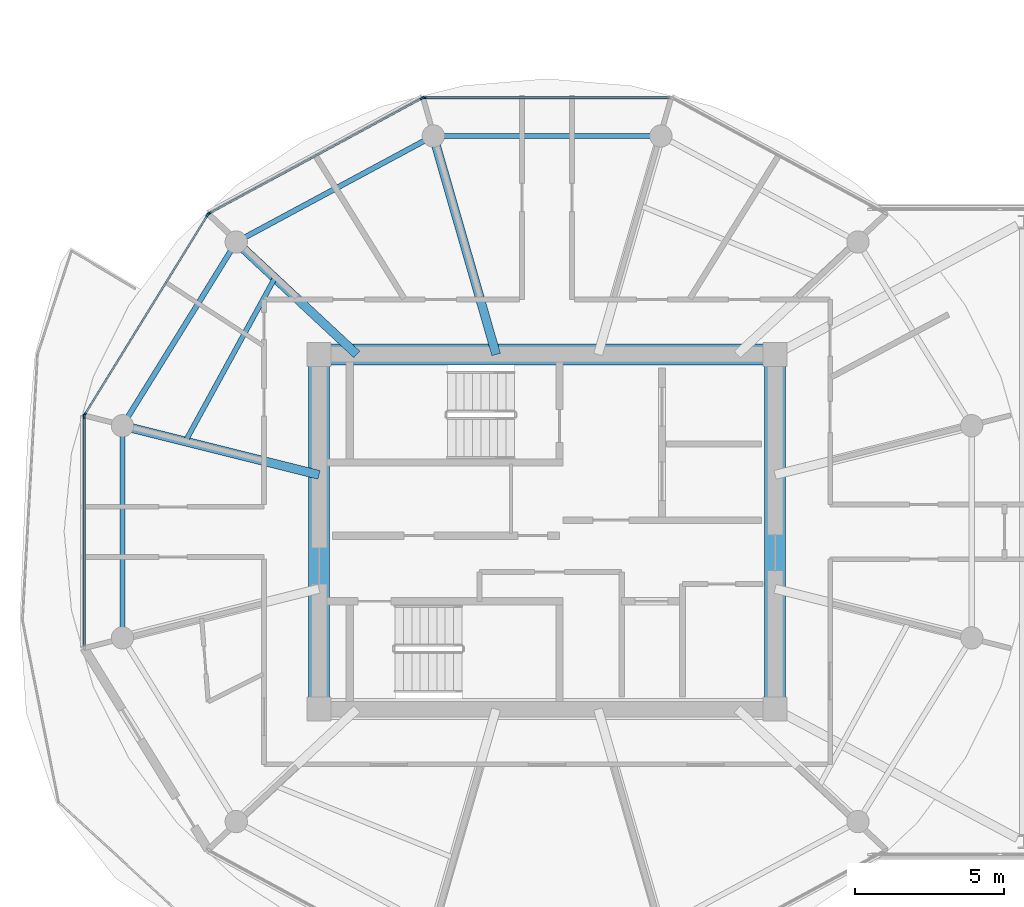
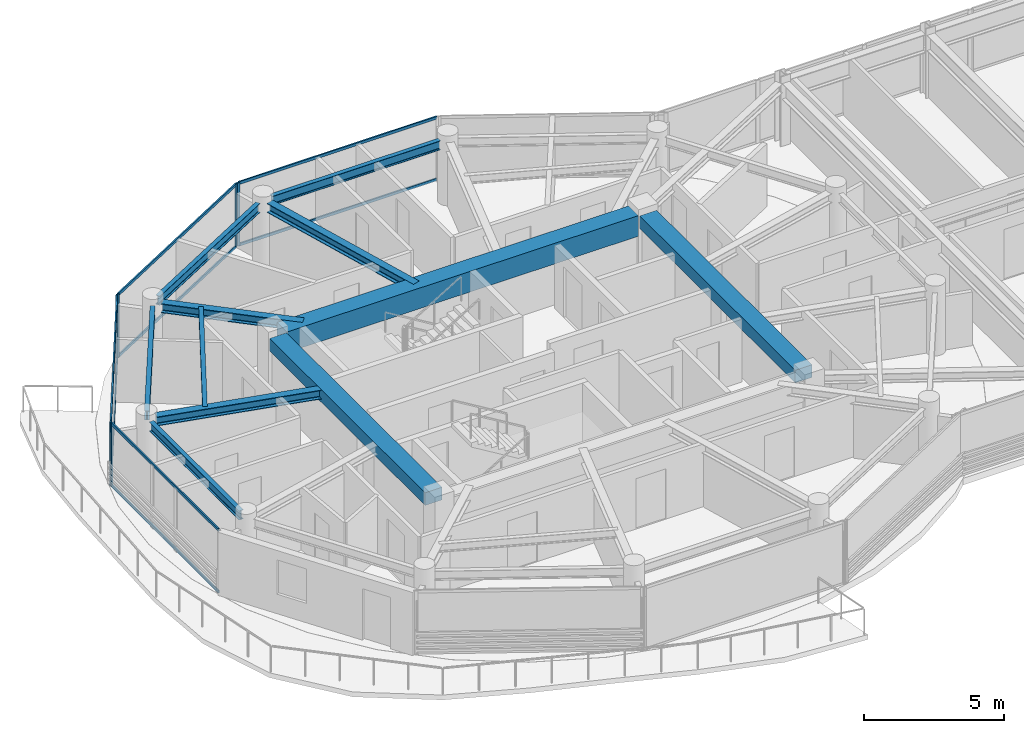
# One storey, part 4 of 23: 14 members, 11 beams, 4 elements without a shape of their own.
"""IFC4 building model written with IfcOpenShell, lengths in metres."""

from ifc_helpers import new_model, si_unit, direction, frame, origin, origin_2d, place, context, subcontext, project, spatial, rectangle, i_section, extrude, source, transform, mapped, material, layer, layer_set, material_profile, profile_set, type_object, type_shapes, element, aggregate, save


model = new_model("IFC4")

# Units and contexts
model_context = context("Model", 3, precision=1e-05, world=origin(), true_north=direction((0.0, 1.0)))
body_context = subcontext(model_context, "Body", "Model", "MODEL_VIEW")
ifc_project = project(units=[si_unit("LENGTHUNIT", "METRE"), si_unit("AREAUNIT", "SQUARE_METRE"), si_unit("VOLUMEUNIT", "CUBIC_METRE"), si_unit("PLANEANGLEUNIT", "RADIAN"), si_unit("MASSUNIT", "GRAM", prefix="KILO")], contexts=[model_context])

# Site, building, storey
site_placement = place(None, origin())
site = spatial("IfcSite", under=ifc_project, at=site_placement, CompositionType="ELEMENT")
building_placement = place(site_placement, origin())
building = spatial("IfcBuilding", under=site, at=building_placement, Name="Norrkilde Senior Care Towers", CompositionType="ELEMENT")
storey_placement = place(building_placement, frame((0.0, 0.0, 216.949951171875)))
storey = spatial("IfcBuildingStorey", under=building, at=storey_placement, Name="L67", CompositionType="ELEMENT", Elevation=216.949951171875)

# Beams
ifc_material_1 = material(Name="Concrete C60/75", Category="concrete")
ifc_material_profile_1 = material_profile(ifc_material_1, rectangle(XDim=0.699951171875, YDim=0.89990234375, at=origin_2d()), Name="RC BM 700x900")
ifc_profile_set_1 = profile_set([ifc_material_profile_1], Name="Concrete C60/75")
beam_type_1 = type_object("IfcBeamType", Name="Core Coupling Girder 700x900", PredefinedType="USERDEFINED", material=ifc_profile_set_1)
shared_shape_1 = source(origin(), body_context, "Body", "SweptSolid", [
    extrude(rectangle(XDim=0.699951171875, YDim=0.89990234375, at=origin_2d()), origin(), (0.0, 0.0, 1.0), 14.5400390625),
])
type_shapes(beam_type_1, [shared_shape_1])
beam_1_placement = place(storey_placement, frame((-35.27001953125, 5.949951171875, 2.31005859375), z_axis=(1.0, 0.0, 0.0), x_axis=(0.0, 1.0, 0.0)))
element("IfcBeam", 1, at=beam_1_placement, inside=storey, type_object=beam_type_1, Name="L67 Core W N Coupling Girder", ObjectType="GIRDER", PredefinedType="USERDEFINED", context=body_context, shape_type="MappedRepresentation", body=[
    mapped(shared_shape_1, transform((0.0, 0.0, 0.0), x_axis=(1.0, 0.0, 0.0), y_axis=(0.0, 1.0, 0.0), z_axis=(0.0, 0.0, 1.0), scale=1.0)),
])
ifc_material_profile_2 = material_profile(ifc_material_1, rectangle(XDim=0.699951171875, YDim=0.550048828125, at=origin_2d()), Name="RC BM 700x550")
ifc_profile_set_2 = profile_set([ifc_material_profile_2], Name="Concrete C60/75")
beam_type_2 = type_object("IfcBeamType", Name="Core Portal Coupling Beam 700x550", PredefinedType="USERDEFINED", material=ifc_profile_set_2)
shared_shape_2 = source(origin(), body_context, "Body", "SweptSolid", [
    extrude(rectangle(XDim=0.699951171875, YDim=0.550048828125, at=origin_2d()), origin(), (0.0, 0.0, 1.0), 11.14013671875),
])
type_shapes(beam_type_2, [shared_shape_2])
for number, where, z_axis, x_axis, name in (
    (2, (-35.64990234375, -5.570068359375, 2.485107421875), (0.0, 1.0, 0.0), (-1.0, 0.0, 0.0), "L67 Core W W Coupling Girder"),
    (3, (-20.35009765625, -5.570068359375, 2.485107421875), (0.0, 1.0, 0.0), (-1.0, 0.0, 0.0), "L67 Core W E Coupling Girder"),
):
    element("IfcBeam", number, at=place(storey_placement, frame(where, z_axis=z_axis, x_axis=x_axis)), inside=storey, type_object=beam_type_2, Name=name, ObjectType="GIRDER", PredefinedType="USERDEFINED", context=body_context, shape_type="MappedRepresentation", body=[
        mapped(shared_shape_2, transform((0.0, 0.0, 0.0), x_axis=(1.0, 0.0, 0.0), y_axis=(0.0, 1.0, 0.0), z_axis=(0.0, 0.0, 1.0), scale=1.0)),
    ])
ifc_material_2 = material(Name="Steel S355", Category="steel")
ifc_material_profile_3 = material_profile(ifc_material_2, i_section(OverallWidth=0.179931640625, OverallDepth=0.39990234375, WebThickness=0.008544921875, FlangeThickness=0.013427734375, FilletRadius=0.02099609375, at=origin_2d()), Name="IPE 400")
ifc_profile_set_3 = profile_set([ifc_material_profile_3], Name="Steel S355")
beam_type_3 = type_object("IfcBeamType", Name="Perimeter Ring Spandrel Z4 IPE400", PredefinedType="SPANDREL", material=ifc_profile_set_3)
shared_shape_3 = source(origin(), body_context, "Body", "SweptSolid", [
    extrude(i_section(OverallWidth=0.179931640625, OverallDepth=0.39990234375, WebThickness=0.008544921875, FlangeThickness=0.013427734375, FilletRadius=0.02099609375, at=origin_2d()), origin(), (0.0, 0.0, 1.0), 6.58056640625),
])
beam_2_placement = place(storey_placement, frame((-38.606201171875, 9.43798828125, 2.56005859375), z_axis=(-0.526529583789, -0.850156807533, 0.0), x_axis=(0.850156807533, -0.526529583789, 0.0)))
element("IfcBeam", 4, at=beam_2_placement, inside=storey, type_object=beam_type_3, Name="L67 Drum W Perimeter Spandrel 05", PredefinedType="SPANDREL", context=body_context, shape_type="MappedRepresentation", body=[
    mapped(shared_shape_3, transform((0.0, 0.0, 0.0), x_axis=(1.0, 0.0, 0.0), y_axis=(0.0, 1.0, 0.0), z_axis=(0.0, 0.0, 1.0), scale=1.0)),
])
ifc_material_profile_4 = material_profile(ifc_material_2, i_section(OverallWidth=0.300048828125, OverallDepth=0.39990234375, WebThickness=0.013427734375, FlangeThickness=0.02392578125, FilletRadius=0.027099609375, at=origin_2d()), Name="HEB 400")
ifc_profile_set_4 = profile_set([ifc_material_profile_4], Name="Steel S355")
beam_type_4 = type_object("IfcBeamType", Name="Radial Floor Beam Z4 HEB400", PredefinedType="BEAM", material=ifc_profile_set_4)
shared_shape_4 = source(origin(), body_context, "Body", "SweptSolid", [
    extrude(i_section(OverallWidth=0.300048828125, OverallDepth=0.39990234375, WebThickness=0.013427734375, FlangeThickness=0.02392578125, FilletRadius=0.027099609375, at=origin_2d()), origin(), (0.0, 0.0, 1.0), 6.465087890625),
])
beam_3_placement = place(storey_placement, frame((-35.64990234375, 1.910888671875, 2.56005859375), z_axis=(-0.970195788563, 0.242322371758, 0.0), x_axis=(-0.242322371758, -0.970195788563, 0.0)))
element("IfcBeam", 5, at=beam_3_placement, inside=storey, type_object=beam_type_4, Name="L67 Drum W Radial Floor Beam 06", PredefinedType="BEAM", context=body_context, shape_type="MappedRepresentation", body=[
    mapped(shared_shape_4, transform((0.0, 0.0, 0.0), x_axis=(1.0, 0.0, 0.0), y_axis=(0.0, 1.0, 0.0), z_axis=(0.0, 0.0, 1.0), scale=1.0)),
])
shared_shape_5 = source(origin(), body_context, "Body", "SweptSolid", [
    extrude(i_section(OverallWidth=0.179931640625, OverallDepth=0.39990234375, WebThickness=0.008544921875, FlangeThickness=0.013427734375, FilletRadius=0.02099609375, at=origin_2d()), origin(), (0.0, 0.0, 1.0), 6.839111328125),
])
beam_4_placement = place(storey_placement, frame((-32.112548828125, 13.122802734375, 2.56005859375), z_axis=(-0.880563930732, -0.473927382511, 0.0), x_axis=(0.473927382511, -0.880563930732, 0.0)))
element("IfcBeam", 6, at=beam_4_placement, inside=storey, type_object=beam_type_3, Name="L67 Drum W Perimeter Spandrel 04", PredefinedType="SPANDREL", context=body_context, shape_type="MappedRepresentation", body=[
    mapped(shared_shape_5, transform((0.0, 0.0, 0.0), x_axis=(1.0, 0.0, 0.0), y_axis=(0.0, 1.0, 0.0), z_axis=(0.0, 0.0, 1.0), scale=1.0)),
])
shared_shape_6 = source(origin(), body_context, "Body", "SweptSolid", [
    extrude(i_section(OverallWidth=0.300048828125, OverallDepth=0.39990234375, WebThickness=0.013427734375, FlangeThickness=0.02392578125, FilletRadius=0.027099609375, at=origin_2d()), origin(), (0.0, 0.0, 1.0), 5.197998046875),
])
beam_5_placement = place(storey_placement, frame((-34.3828125, 5.949951171875, 2.56005859375), z_axis=(-0.731448749334, 0.681896419625, 0.0), x_axis=(-0.681896419625, -0.731448749334, 0.0)))
element("IfcBeam", 7, at=beam_5_placement, inside=storey, type_object=beam_type_4, Name="L67 Drum W Radial Floor Beam 05", PredefinedType="BEAM", context=body_context, shape_type="MappedRepresentation", body=[
    mapped(shared_shape_6, transform((0.0, 0.0, 0.0), x_axis=(1.0, 0.0, 0.0), y_axis=(0.0, 1.0, 0.0), z_axis=(0.0, 0.0, 1.0), scale=1.0)),
])
shared_shape_7 = source(origin(), body_context, "Body", "SweptSolid", [
    extrude(i_section(OverallWidth=0.179931640625, OverallDepth=0.39990234375, WebThickness=0.008544921875, FlangeThickness=0.013427734375, FilletRadius=0.02099609375, at=origin_2d()), origin(), (0.0, 0.0, 1.0), 6.96533203125),
])
beam_6_placement = place(storey_placement, frame((-24.517333984375, 13.281494140625, 2.56005859375), z_axis=(-1.0, 0.0, 0.0), x_axis=(0.0, -1.0, 0.0)))
element("IfcBeam", 8, at=beam_6_placement, inside=storey, type_object=beam_type_3, Name="L67 Drum W Perimeter Spandrel 03", PredefinedType="SPANDREL", context=body_context, shape_type="MappedRepresentation", body=[
    mapped(shared_shape_7, transform((0.0, 0.0, 0.0), x_axis=(1.0, 0.0, 0.0), y_axis=(0.0, 1.0, 0.0), z_axis=(0.0, 0.0, 1.0), scale=1.0)),
])
shared_shape_8 = source(origin(), body_context, "Body", "SweptSolid", [
    extrude(i_section(OverallWidth=0.300048828125, OverallDepth=0.39990234375, WebThickness=0.013427734375, FlangeThickness=0.02392578125, FilletRadius=0.027099609375, at=origin_2d()), origin(), (0.0, 0.0, 1.0), 7.29345703125),
])
type_shapes(beam_type_4, [shared_shape_4, shared_shape_6, shared_shape_8])
beam_7_placement = place(storey_placement, frame((-29.710205078125, 5.949951171875, 2.56005859375), z_axis=(-0.276263751906, 0.961081858836, 0.0), x_axis=(-0.961081858836, -0.276263751906, 0.0)))
element("IfcBeam", 9, at=beam_7_placement, inside=storey, type_object=beam_type_4, Name="L67 Drum W Radial Floor Beam 04", PredefinedType="BEAM", context=body_context, shape_type="MappedRepresentation", body=[
    mapped(shared_shape_8, transform((0.0, 0.0, 0.0), x_axis=(1.0, 0.0, 0.0), y_axis=(0.0, 1.0, 0.0), z_axis=(0.0, 0.0, 1.0), scale=1.0)),
])
shared_shape_9 = source(origin(), body_context, "Body", "SweptSolid", [
    extrude(i_section(OverallWidth=0.179931640625, OverallDepth=0.39990234375, WebThickness=0.008544921875, FlangeThickness=0.013427734375, FilletRadius=0.02099609375, at=origin_2d()), origin(), (0.0, 0.0, 1.0), 6.44775390625),
])
type_shapes(beam_type_3, [shared_shape_3, shared_shape_5, shared_shape_7, shared_shape_9])
beam_8_placement = place(storey_placement, frame((-42.247314453125, 3.223876953125, 2.56005859375), z_axis=(0.0, -1.0, 0.0), x_axis=(1.0, 0.0, 0.0)))
element("IfcBeam", 10, at=beam_8_placement, inside=storey, type_object=beam_type_3, Name="L67 Drum W Perimeter Spandrel 06", PredefinedType="SPANDREL", context=body_context, shape_type="MappedRepresentation", body=[
    mapped(shared_shape_9, transform((0.0, 0.0, 0.0), x_axis=(1.0, 0.0, 0.0), y_axis=(0.0, 1.0, 0.0), z_axis=(0.0, 0.0, 1.0), scale=1.0)),
])
ifc_material_profile_5 = material_profile(ifc_material_2, i_section(OverallWidth=0.169921875, OverallDepth=0.360107421875, WebThickness=0.008056640625, FlangeThickness=0.0126953125, FilletRadius=0.01806640625, at=origin_2d()), Name="IPE 360")
ifc_profile_set_5 = profile_set([ifc_material_profile_5], Name="Steel S355")
beam_type_5 = type_object("IfcBeamType", Name="Secondary Floor Joist IPE360", PredefinedType="JOIST", material=ifc_profile_set_5)
shared_shape_10 = source(origin(), body_context, "Body", "SweptSolid", [
    extrude(i_section(OverallWidth=0.169921875, OverallDepth=0.360107421875, WebThickness=0.008056640625, FlangeThickness=0.0126953125, FilletRadius=0.01806640625, at=origin_2d()), origin(), (0.0, 0.0, 1.0), 6.25146484375),
])
type_shapes(beam_type_5, [shared_shape_10])
beam_9_placement = place(storey_placement, frame((-37.134765625, 8.515380859375, 2.580078125), z_axis=(-0.480115752653, -0.877205143655, 0.0), x_axis=(0.877205143655, -0.480115752653, 0.0)))
element("IfcBeam", 11, at=beam_9_placement, inside=storey, type_object=beam_type_5, Name="L67 Drum W Secondary Floor Joist 2", PredefinedType="JOIST", context=body_context, shape_type="MappedRepresentation", body=[
    mapped(shared_shape_10, transform((0.0, 0.0, 0.0), x_axis=(1.0, 0.0, 0.0), y_axis=(0.0, 1.0, 0.0), z_axis=(0.0, 0.0, 1.0), scale=1.0)),
])

# Curtain wall, members
ifc_material_3 = material(Name="Triple Low-E Insulated Glazing", Category="glass")
ifc_layer = layer(ifc_material_3, 0.18505859375)
ifc_layer_set = layer_set([ifc_layer], Name="Triple Low-E Insulated Glazing")
curtain_wall_type = type_object("IfcCurtainWallType", Name="CW6 Zone 4 Crown Pavilion Curtain Wall", PredefinedType="NOTDEFINED", material=ifc_layer_set)
curtain_wall_1_placement = place(storey_placement, origin())
curtain_wall_1 = element("IfcCurtainWall", 12, at=curtain_wall_1_placement, inside=storey, type_object=curtain_wall_type, Name="L67 Drum W Curtain Wall 04", PredefinedType="NOTDEFINED")
ifc_material_4 = material(Name="Anodised Aluminium", Category="aluminium")
ifc_material_profile_6 = material_profile(ifc_material_4, rectangle(XDim=0.06005859375, YDim=0.1201171875, at=origin_2d()), Name="ALU TRAN 60x120")
ifc_profile_set_6 = profile_set([ifc_material_profile_6], Name="Anodised Aluminium")
member_type_1 = type_object("IfcMemberType", Name="Curtain Wall Transom Typical 60x120", PredefinedType="USERDEFINED", material=ifc_profile_set_6)
shared_shape_11 = source(origin(), body_context, "Body", "SweptSolid", [
    extrude(rectangle(XDim=0.06005859375, YDim=0.1201171875, at=origin_2d()), origin(), (0.0, 0.0, 1.0), 7.808837890625),
])
member_1_placement = place(storey_placement, frame((-43.498046875, 3.958251953125, 0.030029296875), z_axis=(0.524250924101, 0.851563837055, 0.0), x_axis=(-0.851563837055, 0.524250924101, 0.0)))
member_1 = element("IfcMember", 13, at=member_1_placement, type_object=member_type_1, Name="CW-6 transom 1.1", ObjectType="TRANSOM", PredefinedType="USERDEFINED", context=body_context, shape_type="MappedRepresentation", body=[
    mapped(shared_shape_11, transform((0.0, 0.0, 0.0), x_axis=(1.0, 0.0, 0.0), y_axis=(0.0, 1.0, 0.0), z_axis=(0.0, 0.0, 1.0), scale=1.0)),
])
member_2_placement = place(storey_placement, frame((-43.498046875, 3.958251953125, 2.72998046875), z_axis=(0.524250924101, 0.851563837055, 0.0), x_axis=(-0.851563837055, 0.524250924101, 0.0)))
member_2 = element("IfcMember", 14, at=member_2_placement, type_object=member_type_1, Name="CW-6 transom 1.2", ObjectType="TRANSOM", PredefinedType="USERDEFINED", context=body_context, shape_type="MappedRepresentation", body=[
    mapped(shared_shape_11, transform((0.0, 0.0, 0.0), x_axis=(1.0, 0.0, 0.0), y_axis=(0.0, 1.0, 0.0), z_axis=(0.0, 0.0, 1.0), scale=1.0)),
])

curtain_wall_2_placement = place(storey_placement, origin())
curtain_wall_2 = element("IfcCurtainWall", 15, at=curtain_wall_2_placement, inside=storey, type_object=curtain_wall_type, Name="L67 Drum W Curtain Wall 02", PredefinedType="NOTDEFINED")
shared_shape_12 = source(origin(), body_context, "Body", "SweptSolid", [
    extrude(rectangle(XDim=0.06005859375, YDim=0.1201171875, at=origin_2d()), origin(), (0.0, 0.0, 1.0), 8.19384765625),
])
member_3_placement = place(storey_placement, frame((-32.096923828125, 14.566162109375, 0.030029296875), z_axis=(1.0, 0.0, 0.0), x_axis=(0.0, 1.0, 0.0)))
member_3 = element("IfcMember", 16, at=member_3_placement, type_object=member_type_1, Name="CW-6 transom 1.1", ObjectType="TRANSOM", PredefinedType="USERDEFINED", context=body_context, shape_type="MappedRepresentation", body=[
    mapped(shared_shape_12, transform((0.0, 0.0, 0.0), x_axis=(1.0, 0.0, 0.0), y_axis=(0.0, 1.0, 0.0), z_axis=(0.0, 0.0, 1.0), scale=1.0)),
])
member_4_placement = place(storey_placement, frame((-32.096923828125, 14.566162109375, 2.72998046875), z_axis=(1.0, 0.0, 0.0), x_axis=(0.0, 1.0, 0.0)))
member_4 = element("IfcMember", 17, at=member_4_placement, type_object=member_type_1, Name="CW-6 transom 1.2", ObjectType="TRANSOM", PredefinedType="USERDEFINED", context=body_context, shape_type="MappedRepresentation", body=[
    mapped(shared_shape_12, transform((0.0, 0.0, 0.0), x_axis=(1.0, 0.0, 0.0), y_axis=(0.0, 1.0, 0.0), z_axis=(0.0, 0.0, 1.0), scale=1.0)),
])

curtain_wall_3_placement = place(storey_placement, origin())
curtain_wall_3 = element("IfcCurtainWall", 18, at=curtain_wall_3_placement, inside=storey, type_object=curtain_wall_type, Name="L67 Drum W Curtain Wall 03", PredefinedType="NOTDEFINED")
shared_shape_13 = source(origin(), body_context, "Body", "SweptSolid", [
    extrude(rectangle(XDim=0.06005859375, YDim=0.1201171875, at=origin_2d()), origin(), (0.0, 0.0, 1.0), 8.0673828125),
])
member_5_placement = place(storey_placement, frame((-39.313232421875, 10.694091796875, 0.030029296875), z_axis=(0.87937750072, 0.476125205411, 0.0), x_axis=(-0.476125205411, 0.87937750072, 0.0)))
member_5 = element("IfcMember", 19, at=member_5_placement, type_object=member_type_1, Name="CW-6 transom 1.1", ObjectType="TRANSOM", PredefinedType="USERDEFINED", context=body_context, shape_type="MappedRepresentation", body=[
    mapped(shared_shape_13, transform((0.0, 0.0, 0.0), x_axis=(1.0, 0.0, 0.0), y_axis=(0.0, 1.0, 0.0), z_axis=(0.0, 0.0, 1.0), scale=1.0)),
])
member_6_placement = place(storey_placement, frame((-39.313232421875, 10.694091796875, 2.72998046875), z_axis=(0.87937750072, 0.476125205411, 0.0), x_axis=(-0.476125205411, 0.87937750072, 0.0)))
member_6 = element("IfcMember", 20, at=member_6_placement, type_object=member_type_1, Name="CW-6 transom 1.2", ObjectType="TRANSOM", PredefinedType="USERDEFINED", context=body_context, shape_type="MappedRepresentation", body=[
    mapped(shared_shape_13, transform((0.0, 0.0, 0.0), x_axis=(1.0, 0.0, 0.0), y_axis=(0.0, 1.0, 0.0), z_axis=(0.0, 0.0, 1.0), scale=1.0)),
])

curtain_wall_4_placement = place(storey_placement, origin())
curtain_wall_4 = element("IfcCurtainWall", 21, at=curtain_wall_4_placement, inside=storey, type_object=curtain_wall_type, Name="L67 Drum W Curtain Wall 05", PredefinedType="NOTDEFINED")
shared_shape_14 = source(origin(), body_context, "Body", "SweptSolid", [
    extrude(rectangle(XDim=0.06005859375, YDim=0.1201171875, at=origin_2d()), origin(), (0.0, 0.0, 1.0), 7.67578125),
])
type_shapes(member_type_1, [shared_shape_11, shared_shape_12, shared_shape_13, shared_shape_14])
member_7_placement = place(storey_placement, frame((-43.531982421875, -3.837890625, 0.030029296875), z_axis=(0.0, 1.0, 0.0), x_axis=(-1.0, 0.0, 0.0)))
member_7 = element("IfcMember", 22, at=member_7_placement, type_object=member_type_1, Name="CW-6 transom 1.1", ObjectType="TRANSOM", PredefinedType="USERDEFINED", context=body_context, shape_type="MappedRepresentation", body=[
    mapped(shared_shape_14, transform((0.0, 0.0, 0.0), x_axis=(1.0, 0.0, 0.0), y_axis=(0.0, 1.0, 0.0), z_axis=(0.0, 0.0, 1.0), scale=1.0)),
])
member_8_placement = place(storey_placement, frame((-43.531982421875, -3.837890625, 2.72998046875), z_axis=(0.0, 1.0, 0.0), x_axis=(-1.0, 0.0, 0.0)))
member_8 = element("IfcMember", 23, at=member_8_placement, type_object=member_type_1, Name="CW-6 transom 1.2", ObjectType="TRANSOM", PredefinedType="USERDEFINED", context=body_context, shape_type="MappedRepresentation", body=[
    mapped(shared_shape_14, transform((0.0, 0.0, 0.0), x_axis=(1.0, 0.0, 0.0), y_axis=(0.0, 1.0, 0.0), z_axis=(0.0, 0.0, 1.0), scale=1.0)),
])

# Member
ifc_material_profile_7 = material_profile(ifc_material_4, rectangle(XDim=0.06494140625, YDim=0.14990234375, at=origin_2d()), Name="ALU MULL 65x150")
ifc_profile_set_7 = profile_set([ifc_material_profile_7], Name="Anodised Aluminium")
member_type_2 = type_object("IfcMemberType", Name="Curtain Wall Mullion Z3-Z4 65x150", PredefinedType="MULLION", material=ifc_profile_set_7)
shared_shape_15 = source(origin(), body_context, "Body", "SweptSolid", [
    extrude(rectangle(XDim=0.06494140625, YDim=0.14990234375, at=origin_2d()), origin(), (0.0, 0.0, 1.0), 2.760009765625),
])
type_shapes(member_type_2, [shared_shape_15])
member_9_placement = place(storey_placement, frame((-32.12939453125, 14.566162109375, 0.0), z_axis=(0.0, 0.0, 1.0), x_axis=(0.0, 1.0, 0.0)))
member_9 = element("IfcMember", 24, at=member_9_placement, type_object=member_type_2, Name="CW-6 mullion 1", PredefinedType="MULLION", context=body_context, shape_type="MappedRepresentation", body=[
    mapped(shared_shape_15, transform((0.0, 0.0, 0.0), x_axis=(1.0, 0.0, 0.0), y_axis=(0.0, 1.0, 0.0), z_axis=(0.0, 0.0, 1.0), scale=1.0)),
])

aggregate(curtain_wall_2, [member_9, member_3, member_4])

member_10_placement = place(storey_placement, frame((-39.341796875, 10.6787109375, 0.0), z_axis=(0.0, 0.0, 1.0), x_axis=(-0.476132676136, 0.879373455772, 0.0)))
member_10 = element("IfcMember", 25, at=member_10_placement, type_object=member_type_2, Name="CW-6 mullion 1", PredefinedType="MULLION", context=body_context, shape_type="MappedRepresentation", body=[
    mapped(shared_shape_15, transform((0.0, 0.0, 0.0), x_axis=(1.0, 0.0, 0.0), y_axis=(0.0, 1.0, 0.0), z_axis=(0.0, 0.0, 1.0), scale=1.0)),
])

member_11_placement = place(storey_placement, frame((-32.1904296875, 14.55078125, 0.0), z_axis=(0.0, 0.0, 1.0), x_axis=(-0.476132676136, 0.879373455772, 0.0)))
member_11 = element("IfcMember", 26, at=member_11_placement, type_object=member_type_2, Name="CW-6 mullion 2", PredefinedType="MULLION", context=body_context, shape_type="MappedRepresentation", body=[
    mapped(shared_shape_15, transform((0.0, 0.0, 0.0), x_axis=(1.0, 0.0, 0.0), y_axis=(0.0, 1.0, 0.0), z_axis=(0.0, 0.0, 1.0), scale=1.0)),
])

aggregate(curtain_wall_3, [member_10, member_11, member_5, member_6])

member_12_placement = place(storey_placement, frame((-43.51513671875, 3.9306640625, 0.0), z_axis=(0.0, 0.0, 1.0), x_axis=(-0.851562727283, 0.524252726748, 0.0)))
member_12 = element("IfcMember", 27, at=member_12_placement, type_object=member_type_2, Name="CW-6 mullion 1", PredefinedType="MULLION", context=body_context, shape_type="MappedRepresentation", body=[
    mapped(shared_shape_15, transform((0.0, 0.0, 0.0), x_axis=(1.0, 0.0, 0.0), y_axis=(0.0, 1.0, 0.0), z_axis=(0.0, 0.0, 1.0), scale=1.0)),
])

member_13_placement = place(storey_placement, frame((-39.38720703125, 10.635498046875, 0.0), z_axis=(0.0, 0.0, 1.0), x_axis=(-0.851562727283, 0.524252726748, 0.0)))
member_13 = element("IfcMember", 28, at=member_13_placement, type_object=member_type_2, Name="CW-6 mullion 2", PredefinedType="MULLION", context=body_context, shape_type="MappedRepresentation", body=[
    mapped(shared_shape_15, transform((0.0, 0.0, 0.0), x_axis=(1.0, 0.0, 0.0), y_axis=(0.0, 1.0, 0.0), z_axis=(0.0, 0.0, 1.0), scale=1.0)),
])

aggregate(curtain_wall_1, [member_12, member_13, member_1, member_2])

member_14_placement = place(storey_placement, frame((-43.531982421875, 3.87060546875, 0.0), z_axis=(0.0, 0.0, 1.0), x_axis=(-1.0, 0.0, 0.0)))
member_14 = element("IfcMember", 29, at=member_14_placement, type_object=member_type_2, Name="CW-6 mullion 2", PredefinedType="MULLION", context=body_context, shape_type="MappedRepresentation", body=[
    mapped(shared_shape_15, transform((0.0, 0.0, 0.0), x_axis=(1.0, 0.0, 0.0), y_axis=(0.0, 1.0, 0.0), z_axis=(0.0, 0.0, 1.0), scale=1.0)),
])

aggregate(curtain_wall_4, [member_14, member_7, member_8])

save(model, "model.ifc")
